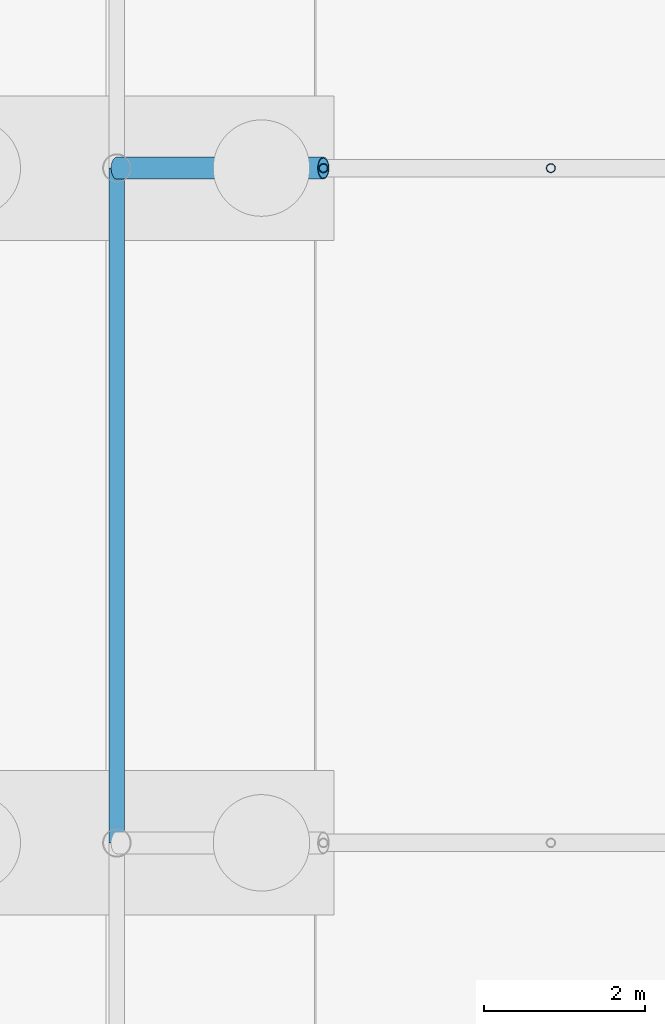
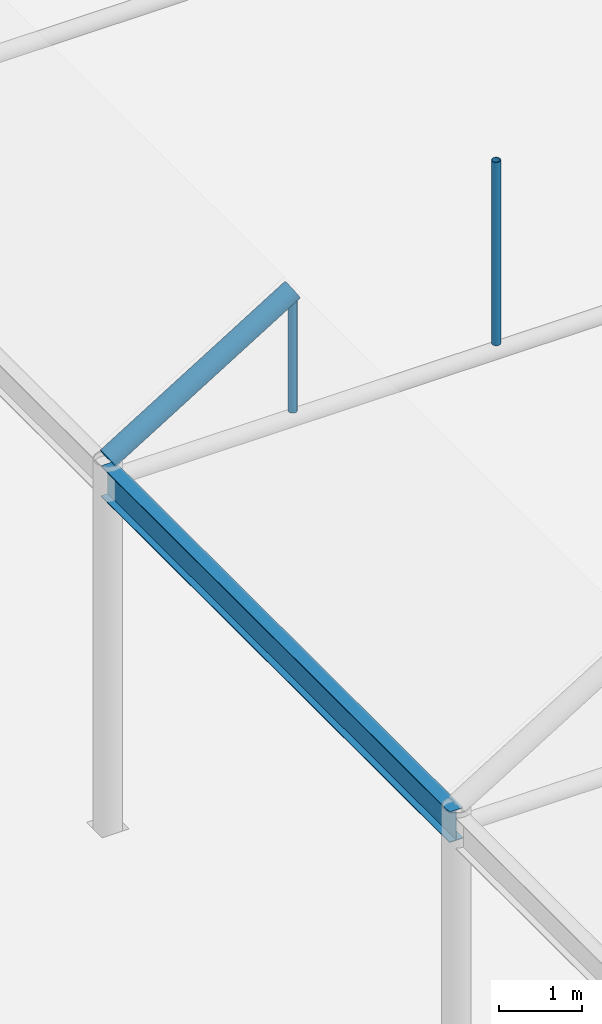
# One storey, part 103 of 212: 3 members, 1 beam.
"""IFC4 building model written with IfcOpenShell, lengths in metres."""

from ifc_helpers import new_model, si_unit, direction, frame, origin, origin_2d, place, context, subcontext, project, spatial, hollow_circle, i_section, extrude, material, material_profile, profile_set, type_object, element, save


model = new_model("IFC4")

# Units and contexts
model_context = context("Model", 3, precision=1e-05, world=origin(), true_north=direction((0.0, 1.0)))
body_context = subcontext(model_context, "Body", "Model", "MODEL_VIEW")
ifc_project = project(units=[si_unit("LENGTHUNIT", "METRE"), si_unit("AREAUNIT", "SQUARE_METRE"), si_unit("VOLUMEUNIT", "CUBIC_METRE"), si_unit("PLANEANGLEUNIT", "RADIAN"), si_unit("MASSUNIT", "GRAM", prefix="KILO")], contexts=[model_context])

# Site, building, storey
site_placement = place(None, origin())
site = spatial("IfcSite", under=ifc_project, at=site_placement, CompositionType="ELEMENT")
building_placement = place(site_placement, origin())
building = spatial("IfcBuilding", under=site, at=building_placement, Name="Catenary Quay Ferry Terminal", CompositionType="ELEMENT")
storey_placement = place(building_placement, origin())
storey = spatial("IfcBuildingStorey", under=building, at=storey_placement, Name="L00", CompositionType="ELEMENT", Elevation=0.0)

# Beam
ifc_material_1 = material(Name="Steel S355", Category="steel")
ifc_material_profile_1 = material_profile(ifc_material_1, i_section(OverallWidth=0.18994140625, OverallDepth=0.453369140625, WebThickness=0.008544921875, FlangeThickness=0.0126953125, at=origin_2d()), Name="UB 457x191x67")
ifc_profile_set_1 = profile_set([ifc_material_profile_1], Name="Steel S355")
beam_type = type_object("IfcBeamType", Name="B1 UB 457x191x67", PredefinedType="BEAM", material=ifc_profile_set_1)
beam_placement = place(storey_placement, frame((8.39990234375, 109.199951171875, 5.10009765625), z_axis=(0.0, 1.0, 0.0), x_axis=(-1.0, 0.0, 0.0)))
element("IfcBeam", 1, at=beam_placement, inside=storey, type_object=beam_type, Name="Eaves beam B-FB6", PredefinedType="BEAM", context=body_context, shape_type="SweptSolid", body=[
    extrude(i_section(OverallWidth=0.18994140625, OverallDepth=0.453369140625, WebThickness=0.008544921875, FlangeThickness=0.0126953125, at=origin_2d()), origin(), (0.0, 0.0, 1.0), 8.400146484375),
])

# Members
ifc_material_2 = material(Name="Steel S355", Category="steel")
ifc_material_profile_2 = material_profile(ifc_material_2, hollow_circle(Radius=0.05712890625, WallThickness=0.00634765625, at=origin_2d()), Name="CHS 114.3x6.3")
ifc_profile_set_2 = profile_set([ifc_material_profile_2], Name="Steel S355")
member_type_1 = type_object("IfcMemberType", Name="HG1 CHS 114.3x6.3", PredefinedType="POST", material=ifc_profile_set_2)
member_1_placement = place(storey_placement, frame((10.970947265625, 117.60009765625, 5.205078125), z_axis=(0.0, 0.0, 1.0), x_axis=(1.0, 0.0, 0.0)))
element("IfcMember", 2, at=member_1_placement, inside=storey, type_object=member_type_1, Name="Hanger FC-07-01", PredefinedType="POST", context=body_context, shape_type="SweptSolid", body=[
    extrude(hollow_circle(Radius=0.05712890625, WallThickness=0.00634765625, at=origin_2d()), origin(), (0.0, 0.0, 1.0), 1.64892578125),
])
member_2_placement = place(storey_placement, frame((13.802978515625, 117.60009765625, 5.205078125), z_axis=(0.0, 0.0, 1.0), x_axis=(1.0, 0.0, 0.0)))
element("IfcMember", 3, at=member_2_placement, inside=storey, type_object=member_type_1, Name="Hanger FC-07-02", PredefinedType="POST", context=body_context, shape_type="SweptSolid", body=[
    extrude(hollow_circle(Radius=0.05712890625, WallThickness=0.00634765625, at=origin_2d()), origin(), (0.0, 0.0, 1.0), 2.69580078125),
])
ifc_material_3 = material(Name="Steel S355", Category="steel")
ifc_material_profile_3 = material_profile(ifc_material_3, hollow_circle(Radius=0.136474609375, WallThickness=0.012451171875, at=origin_2d()), Name="CHS 273x12.5")
ifc_profile_set_3 = profile_set([ifc_material_profile_3], Name="Steel S355")
member_type_2 = type_object("IfcMemberType", Name="VR2 CHS 273x12.5", PredefinedType="RAFTER", material=ifc_profile_set_3)
member_3_placement = place(storey_placement, frame((8.39990234375, 117.60009765625, 5.39990234375), z_axis=(0.851391726314, 0.0, 0.524530388408), x_axis=(0.0, 1.0, 0.0)))
element("IfcMember", 4, at=member_3_placement, inside=storey, type_object=member_type_2, Name="rib FC-07-01", PredefinedType="RAFTER", context=body_context, shape_type="SweptSolid", body=[
    extrude(hollow_circle(Radius=0.136474609375, WallThickness=0.012451171875, at=origin_2d()), origin(), (0.0, 0.0, 1.0), 3.019775390625),
])

save(model, "model.ifc")
